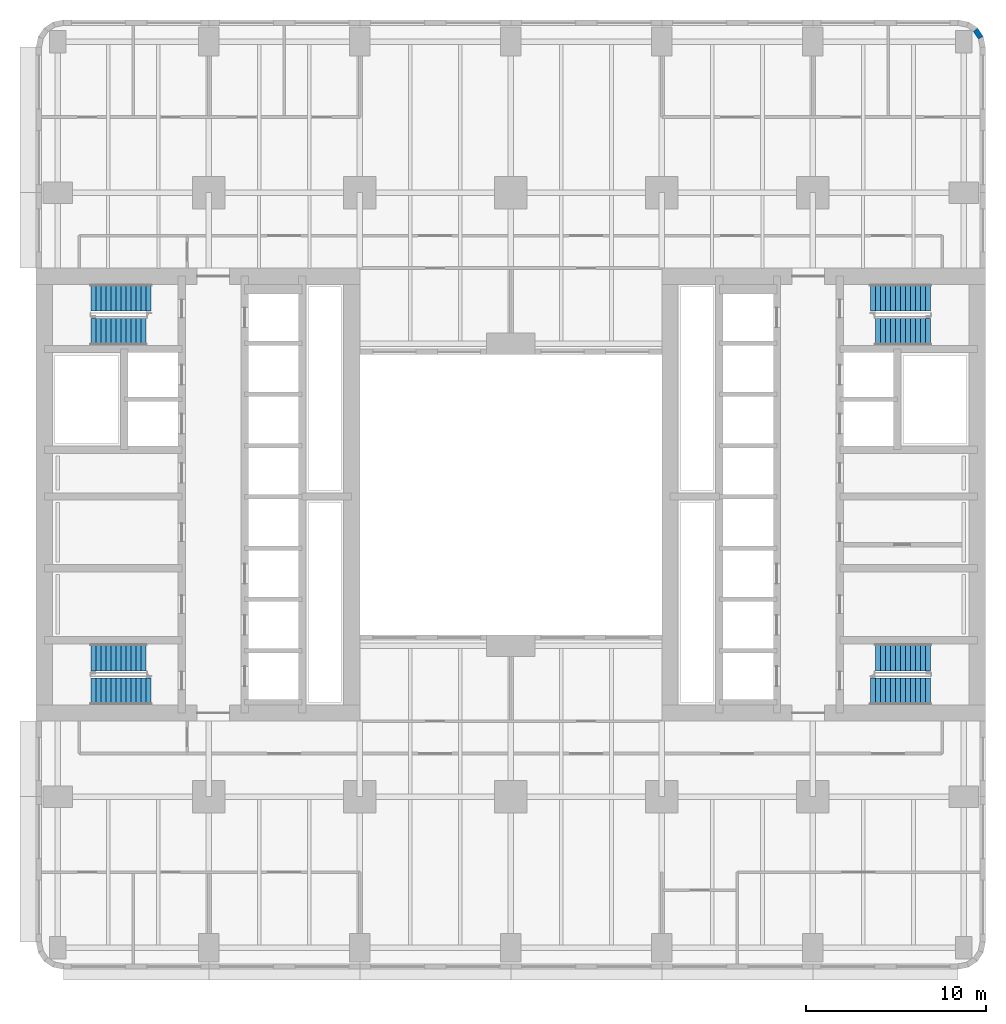
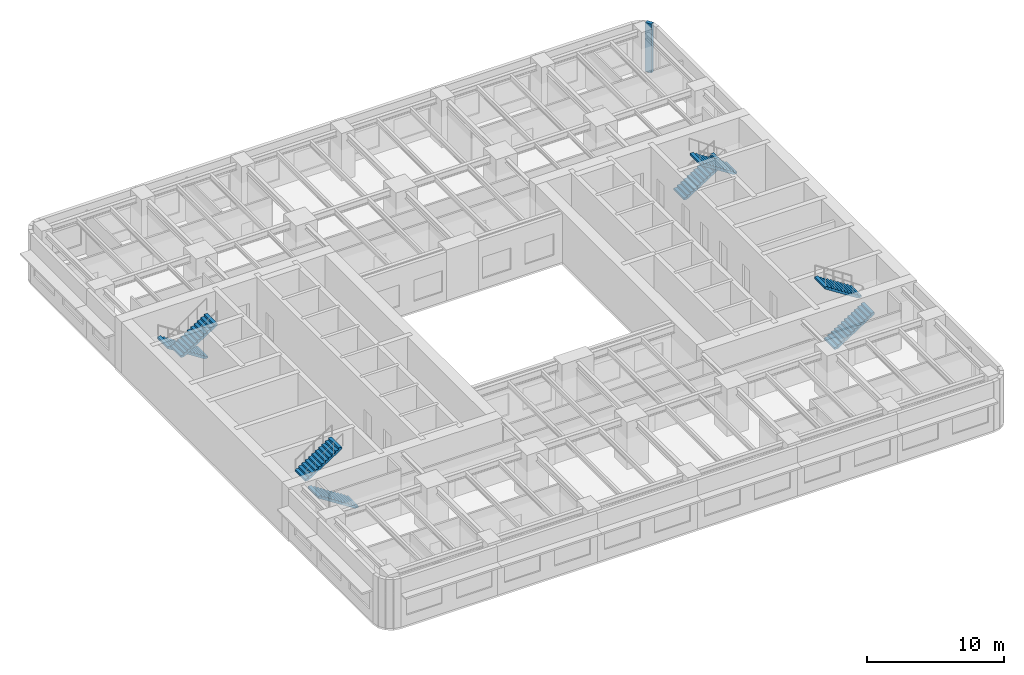
# One storey, part 8 of 14: 8 stair flights, 1 wall, 4 elements without a shape of their own.
"""IFC4 building model written with IfcOpenShell, lengths in metres."""

import ifcopenshell
import ifcopenshell.guid

model = None  # the IFC model being written
_history = None  # IfcOwnerHistory: only IFC2X3 demands one
_inside = {}  # id of a spatial element -> (the spatial element, [elements in it])
_under = {}  # id of a project, library or spatial element -> (it, [spatial elements below it])
_declared = {}  # id of a project -> (the project, [libraries it declares])
_typed = {}  # id of a type object -> (the type object, [elements of that type])
_made_of = {}  # id of a material, layer set ... -> (it, [elements and type objects made of it])


def new_model(schema):
    """Start an empty IFC model of exactly this schema.

    Asked for "IFC4X3", IfcOpenShell would pick the latest addendum, in which some entities
    have other attributes; the version numbers below select the first issue.
    IFC2X3 requires an IfcOwnerHistory on every rooted entity: one is made here for all.
    """
    global model, _history
    if schema == "IFC4X3":
        model = ifcopenshell.file(schema_version=(4, 3, 0, 0))
    else:
        model = ifcopenshell.file(schema=schema)
    _inside.clear()
    _under.clear()
    _declared.clear()
    _typed.clear()
    _made_of.clear()
    _history = None
    if model.schema == "IFC2X3":
        org = make("IfcOrganization", Name="unknown")
        user = make(
            "IfcPersonAndOrganization",
            ThePerson=make("IfcPerson", FamilyName="unknown"),
            TheOrganization=org,
        )
        app = make(
            "IfcApplication",
            ApplicationDeveloper=org,
            Version="unknown",
            ApplicationFullName="unknown",
            ApplicationIdentifier="unknown",
        )
        _history = make(
            "IfcOwnerHistory",
            OwningUser=user,
            OwningApplication=app,
            ChangeAction="ADDED",
            CreationDate=0,
        )
    return model


def make(cls, **values):
    """One entity of the class cls with the attributes given. An attribute that is None is left unset."""
    return model.create_entity(
        cls, **{name: value for name, value in values.items() if value is not None}
    )


def rooted(cls, **values):
    """An entity with a GlobalId (a new one), such as an element, a storey or a relation."""
    return make(cls, GlobalId=ifcopenshell.guid.new(), OwnerHistory=_history, **values)


def si_unit(unit_type, name, prefix=None):
    """IfcSIUnit, for example si_unit("LENGTHUNIT", "METRE", prefix="MILLI")."""
    return make("IfcSIUnit", UnitType=unit_type, Prefix=prefix, Name=name)


def assignment(units):
    """IfcUnitAssignment: the units of a project."""
    return None if units is None else make("IfcUnitAssignment", Units=units)


def point(xyz):
    """IfcCartesianPoint."""
    return None if xyz is None else make("IfcCartesianPoint", Coordinates=xyz)


def direction(xyz):
    """IfcDirection."""
    return None if xyz is None else make("IfcDirection", DirectionRatios=xyz)


def frame(location, z_axis=None, x_axis=None):
    """IfcAxis2Placement3D, a coordinate frame: its origin and axes. An axis left out is left unset."""
    return make(
        "IfcAxis2Placement3D",
        Location=point(location),
        Axis=direction(z_axis),
        RefDirection=direction(x_axis),
    )


def frame_2d(location, x_axis=None):
    """IfcAxis2Placement2D, a coordinate frame in the plane: its origin and x axis."""
    return make(
        "IfcAxis2Placement2D", Location=point(location), RefDirection=direction(x_axis)
    )


def origin():
    """The frame at (0, 0, 0) with its axes left unset."""
    return frame((0.0, 0.0, 0.0))


def place(relative_to, where):
    """IfcLocalPlacement: puts the frame where relative to a parent placement (None: the world)."""
    return make(
        "IfcLocalPlacement", PlacementRelTo=relative_to, RelativePlacement=where
    )


def context(
    kind, dimensions, precision=None, world=None, true_north=None, identifier=None
):
    """IfcGeometricRepresentationContext, for example the 3D "Model" context."""
    return make(
        "IfcGeometricRepresentationContext",
        ContextIdentifier=identifier,
        ContextType=kind,
        CoordinateSpaceDimension=dimensions,
        Precision=precision,
        WorldCoordinateSystem=world,
        TrueNorth=true_north,
    )


def subcontext(parent, identifier, kind, view, scale=None):
    """IfcGeometricRepresentationSubContext, for example "Body" below "Model"."""
    return make(
        "IfcGeometricRepresentationSubContext",
        ContextIdentifier=identifier,
        ContextType=kind,
        ParentContext=parent,
        TargetScale=scale,
        TargetView=view,
    )


def project(units=None, contexts=None):
    """IfcProject with its units and contexts."""
    return rooted(
        "IfcProject",
        Name="project",
        RepresentationContexts=contexts,
        UnitsInContext=assignment(units),
    )


def spatial(cls, under=None, at=None, **own):
    """A site, building, storey or space (cls), placed at a placement, below another one or the project."""
    s = rooted(cls, ObjectPlacement=at, **own)
    if under is not None:
        _under.setdefault(under.id(), (under, []))[1].append(s)
    return s


def polyline(points):
    """IfcPolyline through the points."""
    return make("IfcPolyline", Points=[point(p) for p in points])


def profile(cls, at=None, kind="AREA", **sizes):
    """A parametric profile (cls). Its sizes go by their IFC names, for example OverallWidth=200.0."""
    return make(cls, ProfileType=kind, Position=at, **sizes)


def rectangle(**sizes):
    """IfcRectangleProfileDef."""
    return profile("IfcRectangleProfileDef", **sizes)


def outline(outer, holes=None, kind="AREA"):
    """IfcArbitraryClosedProfileDef: a profile drawn as a closed curve; with holes, ...WithVoids."""
    if holes is None:
        return make("IfcArbitraryClosedProfileDef", ProfileType=kind, OuterCurve=outer)
    return make(
        "IfcArbitraryProfileDefWithVoids",
        ProfileType=kind,
        OuterCurve=outer,
        InnerCurves=holes,
    )


def extrude(swept, where, along, depth):
    """IfcExtrudedAreaSolid: the profile swept, set in the frame where, extruded along a direction by depth."""
    return make(
        "IfcExtrudedAreaSolid",
        SweptArea=swept,
        Position=where,
        ExtrudedDirection=direction(along),
        Depth=depth,
    )


def shape(context_of_items, identifier, shape_type, items):
    """IfcShapeRepresentation: the items that make up one representation, for example the "Body"."""
    return make(
        "IfcShapeRepresentation",
        ContextOfItems=context_of_items,
        RepresentationIdentifier=identifier,
        RepresentationType=shape_type,
        Items=items,
    )


def material(Name=None, Category=None):
    """IfcMaterial."""
    return make("IfcMaterial", Name=Name, Category=Category)


def layer(
    of_material, thickness, ventilated=None, Name=None, Category=None, Priority=None
):
    """IfcMaterialLayer: one layer of a wall or slab, of a material (None: an air gap)."""
    return make(
        "IfcMaterialLayer",
        Material=of_material,
        LayerThickness=thickness,
        IsVentilated=ventilated,
        Name=Name,
        Category=Category,
        Priority=Priority,
    )


def layer_set(layers, Name=None):
    """IfcMaterialLayerSet."""
    return make("IfcMaterialLayerSet", MaterialLayers=layers, LayerSetName=Name)


def made_of(thing, what):
    """Note that an element or type object is made of a material, layer set ...; save() writes the relation."""
    if what is not None:
        _made_of.setdefault(what.id(), (what, []))[1].append(thing)
    return thing


def type_object(cls, material=None, **own):
    """A type object (cls), such as IfcWallType, which elements share."""
    return made_of(rooted(cls, **own), material)


def element(
    cls,
    number,
    at=None,
    inside=None,
    cuts=None,
    type_object=None,
    material=None,
    context=None,
    identifier="Body",
    shape_type=None,
    held_by="IfcProductDefinitionShape",
    body=None,
    shapes=None,
    **own,
):
    """One element of the class cls, such as IfcWall. Its Tag is "e" and its number.

    at: its placement. inside: the storey or other place that contains it. cuts: it is an
    opening in that element (IfcRelVoidsElement). A single representation is given by context,
    identifier, shape_type and body (its items); several are given by shapes. held_by: the class
    of the entity that holds the representations. save() writes the other relations.
    """
    e = rooted(cls, Tag="e%d" % number, ObjectPlacement=at, **own)
    if body is not None:
        shapes = [shape(context, identifier, shape_type, body)]
    if shapes is not None:
        e.Representation = make(held_by, Representations=shapes)
    if inside is not None:
        _inside.setdefault(inside.id(), (inside, []))[1].append(e)
    if cuts is not None:
        rooted(
            "IfcRelVoidsElement", RelatingBuildingElement=cuts, RelatedOpeningElement=e
        )
    if type_object is not None:
        _typed.setdefault(type_object.id(), (type_object, []))[1].append(e)
    return made_of(e, material)


def aggregate(whole, parts):
    """IfcRelAggregates: a whole, such as a stair, and the parts it consists of."""
    return rooted("IfcRelAggregates", RelatingObject=whole, RelatedObjects=parts)


def save(model, path):
    """Write the relations noted so far, then the file.

    IfcRelAggregates (storeys below a building ...), IfcRelContainedInSpatialStructure (elements
    in a storey), IfcRelDefinesByType, IfcRelAssociatesMaterial and IfcRelDeclares: one each for
    every whole, place, type object, material and project.
    """
    for whole, parts in _under.values():
        aggregate(whole, parts)
    for where, things in _inside.values():
        rooted(
            "IfcRelContainedInSpatialStructure",
            RelatedElements=things,
            RelatingStructure=where,
        )
    for kind, things in _typed.values():
        rooted("IfcRelDefinesByType", RelatedObjects=things, RelatingType=kind)
    for what, things in _made_of.values():
        rooted("IfcRelAssociatesMaterial", RelatedObjects=things, RelatingMaterial=what)
    for by, libraries in _declared.values():
        rooted("IfcRelDeclares", RelatingContext=by, RelatedDefinitions=libraries)
    model.write(path)


model = new_model("IFC4")

# Units and contexts
model_context = context("Model", 3, precision=1e-05, world=origin(), true_north=direction((0.0, 1.0)))
body_context = subcontext(model_context, "Body", "Model", "MODEL_VIEW")
ifc_project = project(units=[si_unit("LENGTHUNIT", "METRE"), si_unit("AREAUNIT", "SQUARE_METRE"), si_unit("VOLUMEUNIT", "CUBIC_METRE"), si_unit("PLANEANGLEUNIT", "RADIAN"), si_unit("MASSUNIT", "GRAM", prefix="KILO")], contexts=[model_context])

# Site, building, storey
site_placement = place(None, origin())
site = spatial("IfcSite", under=ifc_project, at=site_placement, CompositionType="ELEMENT")
building_placement = place(site_placement, origin())
building = spatial("IfcBuilding", under=site, at=building_placement, Name="Claustro Exchange Tower", CompositionType="ELEMENT")
storey_placement = place(building_placement, frame((0.0, 0.0, 27.89990234375)))
storey = spatial("IfcBuildingStorey", under=building, at=storey_placement, Name="L06", CompositionType="ELEMENT", Elevation=27.89990234375)

# Wall
ifc_material_1 = material(Name="Concrete HA-40 (C40/50), precast, white cement, acid-etched", Category="concrete")
ifc_layer = layer(ifc_material_1, 0.300048828125)
ifc_layer_set = layer_set([ifc_layer], Name="Concrete HA-40 (C40/50), precast, white cement, acid-etched")
wall_type = type_object("IfcWallType", Name="PC1 300 precast concrete pier panel", PredefinedType="SOLIDWALL", material=ifc_layer_set)
wall_placement = place(storey_placement, frame((51.052490234375, 51.052490234375, 0.0), z_axis=(0.0, 0.0, 1.0), x_axis=(0.555557463938, -0.831478144188, 0.0)))
element("IfcWall", 1, at=wall_placement, inside=storey, type_object=wall_type, Name="Precast pier panel PC1 L06", PredefinedType="SOLIDWALL", context=body_context, shape_type="SweptSolid", body=[
    extrude(rectangle(XDim=0.525634765625, YDim=0.300048828125, at=frame_2d((0.2626953125, 0.0))), origin(), (0.0, 0.0, 1.0), 4.340087890625),
])

# Stair, stair flight
ifc_material_2 = material(Name="Concrete HA-30 (C30/37), precast", Category="concrete")
stair_type = type_object("IfcStairType", Name="ST2 half-turn stair, 25 risers of 180", PredefinedType="HALF_TURN_STAIR", material=ifc_material_2)
stair_1_placement = place(storey_placement, origin())
stair_1 = element("IfcStair", 2, at=stair_1_placement, inside=storey, type_object=stair_type, Name="Stair STWA L06", PredefinedType="HALF_TURN_STAIR")
ifc_material_3 = material(Name="Concrete HA-30 (C30/37), precast", Category="concrete")
stair_flight_type_1 = type_object("IfcStairFlightType", Name="SF12B straight flight, 12 risers of 180, 1500 wide", PredefinedType="STRAIGHT", material=ifc_material_3)
stair_flight_1_placement = place(storey_placement, frame((1.840087890625, 16.14990234375, 2.340087890625), z_axis=(0.0, 0.0, 1.0), x_axis=(1.0, 0.0, 0.0)))
stair_flight_1 = element("IfcStairFlight", 3, at=stair_flight_1_placement, type_object=stair_flight_type_1, Name="STWA flight 2", NumberOfRisers=12, NumberOfTreads=11, PredefinedType="STRAIGHT", RiserHeight=0.18, TreadLength=0.28, context=body_context, shape_type="SweptSolid", body=[
    extrude(outline(polyline([(0.0, 0.0), (0.0, 0.179931640625), (0.280029296875, 0.179931640625), (0.280029296875, 0.360107421875), (0.56005859375, 0.360107421875), (0.56005859375, 0.5400390625), (0.840087890625, 0.5400390625), (0.840087890625, 0.719970703125), (1.1201171875, 0.719970703125), (1.1201171875, 0.89990234375), (1.39990234375, 0.89990234375), (1.39990234375, 1.080078125), (1.679931640625, 1.080078125), (1.679931640625, 1.260009765625), (1.9599609375, 1.260009765625), (1.9599609375, 1.43994140625), (2.239990234375, 1.43994140625), (2.239990234375, 1.6201171875), (2.52001953125, 1.6201171875), (2.52001953125, 1.800048828125), (2.800048828125, 1.800048828125), (2.800048828125, 1.97998046875), (3.080078125, 1.97998046875), (3.080078125, 2.159912109375), (3.080078125, 1.8017578125), (0.277099609375, 0.0), (0.0, 0.0)])), frame((0.0, 0.75, 0.0), z_axis=(0.0, -1.0, 0.0), x_axis=(1.0, 0.0, 0.0)), (0.0, 0.0, 1.0), 1.5),
])

stair_2_placement = place(storey_placement, origin())
stair_2 = element("IfcStair", 4, at=stair_2_placement, inside=storey, type_object=stair_type, Name="Stair STWB L06", PredefinedType="HALF_TURN_STAIR")
stair_flight_2_placement = place(storey_placement, frame((1.840087890625, 34.25, 2.340087890625), z_axis=(0.0, 0.0, 1.0), x_axis=(1.0, 0.0, 0.0)))
stair_flight_2 = element("IfcStairFlight", 5, at=stair_flight_2_placement, type_object=stair_flight_type_1, Name="STWB flight 2", NumberOfRisers=12, NumberOfTreads=11, PredefinedType="STRAIGHT", RiserHeight=0.18, TreadLength=0.28, context=body_context, shape_type="SweptSolid", body=[
    extrude(outline(polyline([(0.0, 0.0), (0.0, 0.179931640625), (0.280029296875, 0.179931640625), (0.280029296875, 0.360107421875), (0.56005859375, 0.360107421875), (0.56005859375, 0.5400390625), (0.840087890625, 0.5400390625), (0.840087890625, 0.719970703125), (1.1201171875, 0.719970703125), (1.1201171875, 0.89990234375), (1.39990234375, 0.89990234375), (1.39990234375, 1.080078125), (1.679931640625, 1.080078125), (1.679931640625, 1.260009765625), (1.9599609375, 1.260009765625), (1.9599609375, 1.43994140625), (2.239990234375, 1.43994140625), (2.239990234375, 1.6201171875), (2.52001953125, 1.6201171875), (2.52001953125, 1.800048828125), (2.800048828125, 1.800048828125), (2.800048828125, 1.97998046875), (3.080078125, 1.97998046875), (3.080078125, 2.159912109375), (3.080078125, 1.8017578125), (0.277099609375, 0.0), (0.0, 0.0)])), frame((0.0, 0.75, 0.0), z_axis=(0.0, -1.0, 0.0), x_axis=(1.0, 0.0, 0.0)), (0.0, 0.0, 1.0), 1.5),
])

stair_3_placement = place(storey_placement, origin())
stair_3 = element("IfcStair", 6, at=stair_3_placement, inside=storey, type_object=stair_type, Name="Stair STEA L06", PredefinedType="HALF_TURN_STAIR")
stair_flight_3_placement = place(storey_placement, frame((48.56005859375, 16.14990234375, 2.340087890625), z_axis=(0.0, 0.0, 1.0), x_axis=(-1.0, 0.0, 0.0)))
stair_flight_3 = element("IfcStairFlight", 7, at=stair_flight_3_placement, type_object=stair_flight_type_1, Name="STEA flight 2", NumberOfRisers=12, NumberOfTreads=11, PredefinedType="STRAIGHT", RiserHeight=0.18, TreadLength=0.28, context=body_context, shape_type="SweptSolid", body=[
    extrude(outline(polyline([(0.0, 0.0), (0.0, 0.179931640625), (0.280029296875, 0.179931640625), (0.280029296875, 0.360107421875), (0.56005859375, 0.360107421875), (0.56005859375, 0.5400390625), (0.840087890625, 0.5400390625), (0.840087890625, 0.719970703125), (1.1201171875, 0.719970703125), (1.1201171875, 0.89990234375), (1.39990234375, 0.89990234375), (1.39990234375, 1.080078125), (1.679931640625, 1.080078125), (1.679931640625, 1.260009765625), (1.9599609375, 1.260009765625), (1.9599609375, 1.43994140625), (2.239990234375, 1.43994140625), (2.239990234375, 1.6201171875), (2.52001953125, 1.6201171875), (2.52001953125, 1.800048828125), (2.800048828125, 1.800048828125), (2.800048828125, 1.97998046875), (3.080078125, 1.97998046875), (3.080078125, 2.159912109375), (3.080078125, 1.8017578125), (0.277099609375, 0.0), (0.0, 0.0)])), frame((0.0, 0.75, 0.0), z_axis=(0.0, -1.0, 0.0), x_axis=(1.0, 0.0, 0.0)), (0.0, 0.0, 1.0), 1.5),
])

stair_4_placement = place(storey_placement, origin())
stair_4 = element("IfcStair", 8, at=stair_4_placement, inside=storey, type_object=stair_type, Name="Stair STEB L06", PredefinedType="HALF_TURN_STAIR")
stair_flight_4_placement = place(storey_placement, frame((48.56005859375, 34.25, 2.340087890625), z_axis=(0.0, 0.0, 1.0), x_axis=(-1.0, 0.0, 0.0)))
stair_flight_4 = element("IfcStairFlight", 9, at=stair_flight_4_placement, type_object=stair_flight_type_1, Name="STEB flight 2", NumberOfRisers=12, NumberOfTreads=11, PredefinedType="STRAIGHT", RiserHeight=0.18, TreadLength=0.28, context=body_context, shape_type="SweptSolid", body=[
    extrude(outline(polyline([(0.0, 0.0), (0.0, 0.179931640625), (0.280029296875, 0.179931640625), (0.280029296875, 0.360107421875), (0.56005859375, 0.360107421875), (0.56005859375, 0.5400390625), (0.840087890625, 0.5400390625), (0.840087890625, 0.719970703125), (1.1201171875, 0.719970703125), (1.1201171875, 0.89990234375), (1.39990234375, 0.89990234375), (1.39990234375, 1.080078125), (1.679931640625, 1.080078125), (1.679931640625, 1.260009765625), (1.9599609375, 1.260009765625), (1.9599609375, 1.43994140625), (2.239990234375, 1.43994140625), (2.239990234375, 1.6201171875), (2.52001953125, 1.6201171875), (2.52001953125, 1.800048828125), (2.800048828125, 1.800048828125), (2.800048828125, 1.97998046875), (3.080078125, 1.97998046875), (3.080078125, 2.159912109375), (3.080078125, 1.8017578125), (0.277099609375, 0.0), (0.0, 0.0)])), frame((0.0, 0.75, 0.0), z_axis=(0.0, -1.0, 0.0), x_axis=(1.0, 0.0, 0.0)), (0.0, 0.0, 1.0), 1.5),
])

# Stair flight
ifc_material_4 = material(Name="Concrete HA-30 (C30/37), precast", Category="concrete")
stair_flight_type_2 = type_object("IfcStairFlightType", Name="SF13 straight flight, 13 risers of 180, 1500 wide", PredefinedType="STRAIGHT", material=ifc_material_4)
stair_flight_5_placement = place(storey_placement, frame((5.199951171875, 14.25, 0.0), z_axis=(0.0, 0.0, 1.0), x_axis=(-1.0, 0.0, 0.0)))
stair_flight_5 = element("IfcStairFlight", 10, at=stair_flight_5_placement, type_object=stair_flight_type_2, Name="STWA flight 1", NumberOfRisers=13, NumberOfTreads=12, PredefinedType="STRAIGHT", RiserHeight=0.18, TreadLength=0.28, context=body_context, shape_type="SweptSolid", body=[
    extrude(outline(polyline([(0.0, 0.0), (0.0, 0.179931640625), (0.280029296875, 0.179931640625), (0.280029296875, 0.360107421875), (0.56005859375, 0.360107421875), (0.56005859375, 0.5400390625), (0.840087890625, 0.5400390625), (0.840087890625, 0.719970703125), (1.1201171875, 0.719970703125), (1.1201171875, 0.89990234375), (1.39990234375, 0.89990234375), (1.39990234375, 1.080078125), (1.679931640625, 1.080078125), (1.679931640625, 1.260009765625), (1.9599609375, 1.260009765625), (1.9599609375, 1.43994140625), (2.239990234375, 1.43994140625), (2.239990234375, 1.6201171875), (2.52001953125, 1.6201171875), (2.52001953125, 1.800048828125), (2.800048828125, 1.800048828125), (2.800048828125, 1.97998046875), (3.080078125, 1.97998046875), (3.080078125, 2.159912109375), (3.360107421875, 2.159912109375), (3.360107421875, 2.340087890625), (3.360107421875, 1.981689453125), (0.277099609375, 0.0), (0.0, 0.0)])), frame((0.0, 0.75, 0.0), z_axis=(0.0, -1.0, 0.0), x_axis=(1.0, 0.0, 0.0)), (0.0, 0.0, 1.0), 1.5),
])

aggregate(stair_1, [stair_flight_5, stair_flight_1])

stair_flight_6_placement = place(storey_placement, frame((5.199951171875, 36.14990234375, 0.0), z_axis=(0.0, 0.0, 1.0), x_axis=(-1.0, 0.0, 0.0)))
stair_flight_6 = element("IfcStairFlight", 11, at=stair_flight_6_placement, type_object=stair_flight_type_2, Name="STWB flight 1", NumberOfRisers=13, NumberOfTreads=12, PredefinedType="STRAIGHT", RiserHeight=0.18, TreadLength=0.28, context=body_context, shape_type="SweptSolid", body=[
    extrude(outline(polyline([(0.0, 0.0), (0.0, 0.179931640625), (0.280029296875, 0.179931640625), (0.280029296875, 0.360107421875), (0.56005859375, 0.360107421875), (0.56005859375, 0.5400390625), (0.840087890625, 0.5400390625), (0.840087890625, 0.719970703125), (1.1201171875, 0.719970703125), (1.1201171875, 0.89990234375), (1.39990234375, 0.89990234375), (1.39990234375, 1.080078125), (1.679931640625, 1.080078125), (1.679931640625, 1.260009765625), (1.9599609375, 1.260009765625), (1.9599609375, 1.43994140625), (2.239990234375, 1.43994140625), (2.239990234375, 1.6201171875), (2.52001953125, 1.6201171875), (2.52001953125, 1.800048828125), (2.800048828125, 1.800048828125), (2.800048828125, 1.97998046875), (3.080078125, 1.97998046875), (3.080078125, 2.159912109375), (3.360107421875, 2.159912109375), (3.360107421875, 2.340087890625), (3.360107421875, 1.981689453125), (0.277099609375, 0.0), (0.0, 0.0)])), frame((0.0, 0.75, 0.0), z_axis=(0.0, -1.0, 0.0), x_axis=(1.0, 0.0, 0.0)), (0.0, 0.0, 1.0), 1.5),
])

aggregate(stair_2, [stair_flight_6, stair_flight_2])

stair_flight_7_placement = place(storey_placement, frame((45.199951171875, 14.25, 0.0), z_axis=(0.0, 0.0, 1.0), x_axis=(1.0, 0.0, 0.0)))
stair_flight_7 = element("IfcStairFlight", 12, at=stair_flight_7_placement, type_object=stair_flight_type_2, Name="STEA flight 1", NumberOfRisers=13, NumberOfTreads=12, PredefinedType="STRAIGHT", RiserHeight=0.18, TreadLength=0.28, context=body_context, shape_type="SweptSolid", body=[
    extrude(outline(polyline([(0.0, 0.0), (0.0, 0.179931640625), (0.280029296875, 0.179931640625), (0.280029296875, 0.360107421875), (0.56005859375, 0.360107421875), (0.56005859375, 0.5400390625), (0.840087890625, 0.5400390625), (0.840087890625, 0.719970703125), (1.1201171875, 0.719970703125), (1.1201171875, 0.89990234375), (1.39990234375, 0.89990234375), (1.39990234375, 1.080078125), (1.679931640625, 1.080078125), (1.679931640625, 1.260009765625), (1.9599609375, 1.260009765625), (1.9599609375, 1.43994140625), (2.239990234375, 1.43994140625), (2.239990234375, 1.6201171875), (2.52001953125, 1.6201171875), (2.52001953125, 1.800048828125), (2.800048828125, 1.800048828125), (2.800048828125, 1.97998046875), (3.080078125, 1.97998046875), (3.080078125, 2.159912109375), (3.360107421875, 2.159912109375), (3.360107421875, 2.340087890625), (3.360107421875, 1.981689453125), (0.277099609375, 0.0), (0.0, 0.0)])), frame((0.0, 0.75, 0.0), z_axis=(0.0, -1.0, 0.0), x_axis=(1.0, 0.0, 0.0)), (0.0, 0.0, 1.0), 1.5),
])

aggregate(stair_3, [stair_flight_7, stair_flight_3])

stair_flight_8_placement = place(storey_placement, frame((45.199951171875, 36.14990234375, 0.0), z_axis=(0.0, 0.0, 1.0), x_axis=(1.0, 0.0, 0.0)))
stair_flight_8 = element("IfcStairFlight", 13, at=stair_flight_8_placement, type_object=stair_flight_type_2, Name="STEB flight 1", NumberOfRisers=13, NumberOfTreads=12, PredefinedType="STRAIGHT", RiserHeight=0.18, TreadLength=0.28, context=body_context, shape_type="SweptSolid", body=[
    extrude(outline(polyline([(0.0, 0.0), (0.0, 0.179931640625), (0.280029296875, 0.179931640625), (0.280029296875, 0.360107421875), (0.56005859375, 0.360107421875), (0.56005859375, 0.5400390625), (0.840087890625, 0.5400390625), (0.840087890625, 0.719970703125), (1.1201171875, 0.719970703125), (1.1201171875, 0.89990234375), (1.39990234375, 0.89990234375), (1.39990234375, 1.080078125), (1.679931640625, 1.080078125), (1.679931640625, 1.260009765625), (1.9599609375, 1.260009765625), (1.9599609375, 1.43994140625), (2.239990234375, 1.43994140625), (2.239990234375, 1.6201171875), (2.52001953125, 1.6201171875), (2.52001953125, 1.800048828125), (2.800048828125, 1.800048828125), (2.800048828125, 1.97998046875), (3.080078125, 1.97998046875), (3.080078125, 2.159912109375), (3.360107421875, 2.159912109375), (3.360107421875, 2.340087890625), (3.360107421875, 1.981689453125), (0.277099609375, 0.0), (0.0, 0.0)])), frame((0.0, 0.75, 0.0), z_axis=(0.0, -1.0, 0.0), x_axis=(1.0, 0.0, 0.0)), (0.0, 0.0, 1.0), 1.5),
])

aggregate(stair_4, [stair_flight_8, stair_flight_4])

save(model, "model.ifc")
